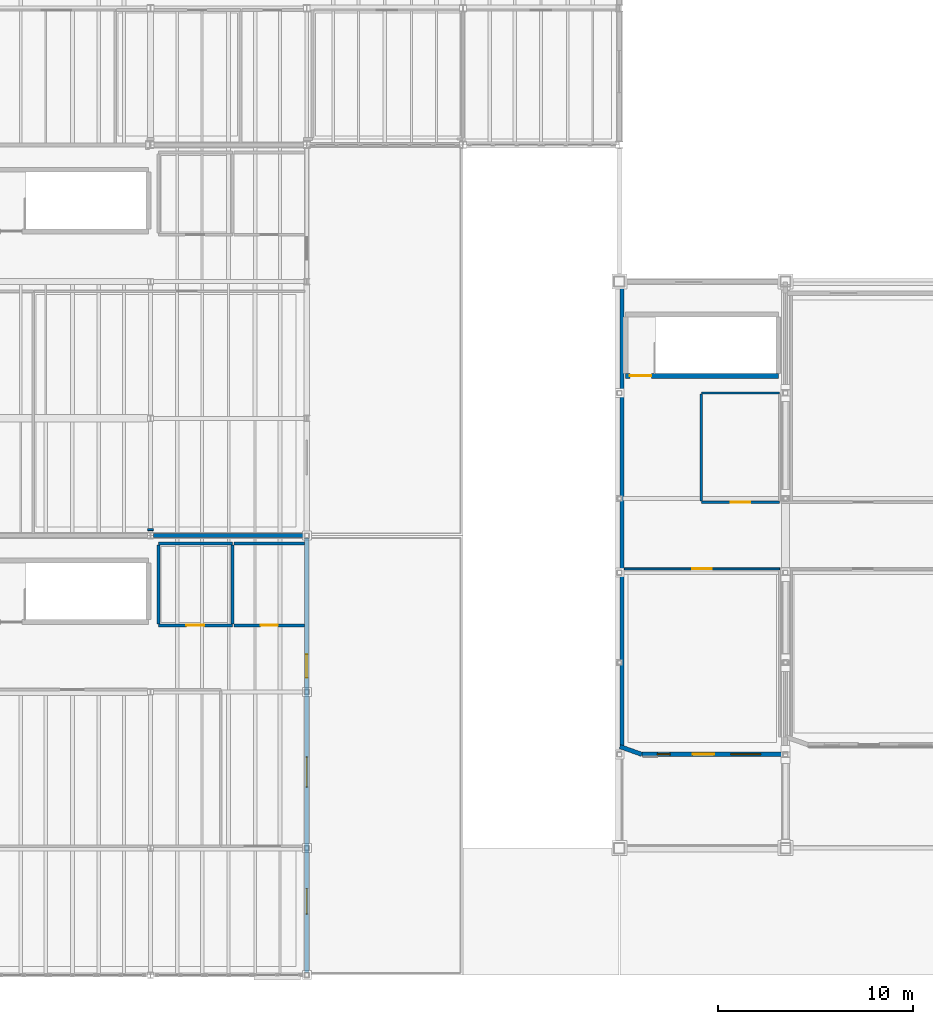
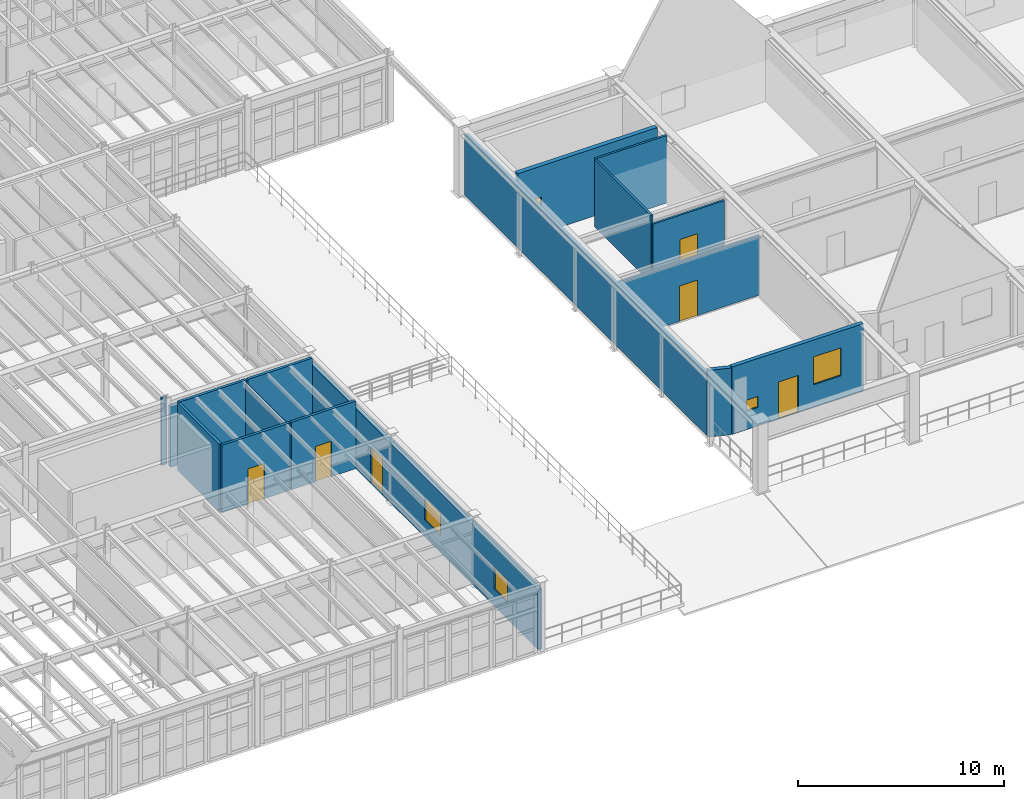
# One storey, part 59 of 78: 17 walls, 7 doors, 4 windows, 11 openings.
"""IFC4 building model written with IfcOpenShell, lengths in metres."""

from ifc_helpers import new_model, si_unit, direction, frame, frame_2d, origin, place, context, subcontext, project, spatial, polyline, rectangle, outline, extrude, material, layer, layer_set, type_object, element, fill, save


model = new_model("IFC4")

# Units and contexts
model_context = context("Model", 3, precision=1e-05, world=origin(), true_north=direction((0.0, 1.0)))
body_context = subcontext(model_context, "Body", "Model", "MODEL_VIEW")
ifc_project = project(units=[si_unit("LENGTHUNIT", "METRE"), si_unit("AREAUNIT", "SQUARE_METRE"), si_unit("VOLUMEUNIT", "CUBIC_METRE"), si_unit("PLANEANGLEUNIT", "RADIAN"), si_unit("MASSUNIT", "GRAM", prefix="KILO"), si_unit("THERMODYNAMICTEMPERATUREUNIT", "KELVIN"), si_unit("POWERUNIT", "WATT")], contexts=[model_context])

# Site, building, storey
site_placement = place(None, origin())
site = spatial("IfcSite", under=ifc_project, at=site_placement, CompositionType="ELEMENT")
building_placement = place(site_placement, origin())
building = spatial("IfcBuilding", under=site, at=building_placement, Name="Zhenchuan Central Fire Station", CompositionType="ELEMENT")
storey_placement = place(building_placement, frame((0.0, 0.0, 5.85009765625)))
storey = spatial("IfcBuildingStorey", under=building, at=storey_placement, Name="L02", CompositionType="ELEMENT", Elevation=5.85009765625)

# Wall, openings, door, windows
ifc_material_1 = material(Name="Precast concrete C40/50", Category="concrete")
ifc_layer_1 = layer(ifc_material_1, 0.219970703125, Name="Precast concrete C40/50", Category="concrete")
ifc_layer_set_1 = layer_set([ifc_layer_1], Name="Precast concrete C40/50")
wall_type_1 = type_object("IfcWallType", Name="EW-PRC220", PredefinedType="SOLIDWALL", material=ifc_layer_set_1)
wall_1_placement = place(storey_placement, frame((57.14990234375, 11.300048828125, 0.0), z_axis=(0.0, 0.0, 1.0), x_axis=(1.0, 0.0, 0.0)))
wall_1 = element("IfcWall", 1, at=wall_1_placement, inside=storey, type_object=wall_type_1, Name="Pavilion H01 South Wall", PredefinedType="SOLIDWALL", context=body_context, shape_type="SweptSolid", body=[
    extrude(rectangle(XDim=7.35009765625, YDim=0.219970703125, at=frame_2d((3.675048828125, 0.0))), origin(), (0.0, 0.0, 1.0), 4.0),
])
opening_1_placement = place(wall_1_placement, frame((2.60009765625, 0.0, 0.0)))
opening_1 = element("IfcOpeningElement", 2, at=opening_1_placement, cuts=wall_1, Name="Opening TD-001", PredefinedType="OPENING", context=body_context, shape_type="SweptSolid", body=[
    extrude(rectangle(XDim=1.10009765625, YDim=2.199951171875, at=frame_2d((0.550048828125, 1.10009765625))), frame((0.0, 0.119873046875, 0.0), z_axis=(0.0, -1.0, 0.0), x_axis=(1.0, 0.0, 0.0)), (0.0, 0.0, 1.0), 0.239990234375),
])
opening_2_placement = place(wall_1_placement, frame((0.800048828125, 0.0, 1.10009765625)))
opening_2 = element("IfcOpeningElement", 3, at=opening_2_placement, cuts=wall_1, Name="Opening W-01", PredefinedType="OPENING", context=body_context, shape_type="SweptSolid", body=[
    extrude(rectangle(XDim=0.64990234375, YDim=0.64990234375, at=frame_2d((0.324951171875, 0.324951171875))), frame((0.0, 0.119873046875, 0.0), z_axis=(0.0, -1.0, 0.0), x_axis=(1.0, 0.0, 0.0)), (0.0, 0.0, 1.0), 0.239990234375),
])
opening_3_placement = place(wall_1_placement, frame((4.550048828125, 0.0, 1.35009765625)))
opening_3 = element("IfcOpeningElement", 4, at=opening_3_placement, cuts=wall_1, Name="Opening W-50", PredefinedType="OPENING", context=body_context, shape_type="SweptSolid", body=[
    extrude(rectangle(XDim=1.550048828125, YDim=1.64990234375, at=frame_2d((0.77490234375, 0.824951171875))), frame((0.0, 0.119873046875, 0.0), z_axis=(0.0, -1.0, 0.0), x_axis=(1.0, 0.0, 0.0)), (0.0, 0.0, 1.0), 0.239990234375),
])
ifc_material_2 = material(Name="Thermally broken aluminium terrace door", Category="aluminium")
door_type_1 = type_object("IfcDoorType", Name="ED-110x220", OperationType="NOTDEFINED", PredefinedType="DOOR", material=ifc_material_2)
door_1_placement = place(opening_1_placement, frame((1.10009765625, 0.0, 0.0), z_axis=(0.0, 0.0, 1.0), x_axis=(-1.0, 0.0, 0.0)))
door_1 = element("IfcDoor", 5, at=door_1_placement, inside=storey, type_object=door_type_1, Name="Pavilion H01 Setback Terrace Door", OperationType="SINGLE_SWING_LEFT", OverallHeight=2.199951171875, OverallWidth=1.10009765625, PredefinedType="DOOR", context=body_context, shape_type="SweptSolid", body=[
    extrude(rectangle(XDim=1.10009765625, YDim=2.199951171875, at=frame_2d((0.550048828125, 1.10009765625))), frame((0.0, 0.02490234375, 0.0), z_axis=(0.0, -1.0, 0.0), x_axis=(1.0, 0.0, 0.0)), (0.0, 0.0, 1.0), 0.050048828125),
])
fill(opening_1, door_1)
ifc_material_3 = material(Name="Laminated low-E double glazing in aluminium frame", Category="aluminium")
window_type_1 = type_object("IfcWindowType", Name="WN-01", PartitioningType="SINGLE_PANEL", PredefinedType="WINDOW", material=ifc_material_3)
window_1_placement = place(opening_2_placement, origin())
window_1 = element("IfcWindow", 6, at=window_1_placement, inside=storey, type_object=window_type_1, Name="Exterior Window 0006", OverallHeight=0.64990234375, OverallWidth=0.64990234375, PartitioningType="SINGLE_PANEL", PredefinedType="WINDOW", context=body_context, shape_type="SweptSolid", body=[
    extrude(rectangle(XDim=0.64990234375, YDim=0.64990234375, at=frame_2d((0.324951171875, 0.324951171875))), frame((0.0, 0.030029296875, 0.0), z_axis=(0.0, -1.0, 0.0), x_axis=(1.0, 0.0, 0.0)), (0.0, 0.0, 1.0), 0.06005859375),
])
fill(opening_2, window_1)
window_type_2 = type_object("IfcWindowType", Name="WN-50", PartitioningType="SINGLE_PANEL", PredefinedType="WINDOW", material=ifc_material_3)
window_2_placement = place(opening_3_placement, origin())
window_2 = element("IfcWindow", 7, at=window_2_placement, inside=storey, type_object=window_type_2, Name="Exterior Window 0007", OverallHeight=1.64990234375, OverallWidth=1.550048828125, PartitioningType="SINGLE_PANEL", PredefinedType="WINDOW", context=body_context, shape_type="SweptSolid", body=[
    extrude(rectangle(XDim=1.550048828125, YDim=1.64990234375, at=frame_2d((0.77490234375, 0.824951171875))), frame((0.0, 0.030029296875, 0.0), z_axis=(0.0, -1.0, 0.0), x_axis=(1.0, 0.0, 0.0)), (0.0, 0.0, 1.0), 0.06005859375),
])
fill(opening_3, window_2)

# Walls
wall_2_placement = place(storey_placement, frame((56.030029296875, 11.699951171875, 0.0), z_axis=(0.0, 0.0, 1.0), x_axis=(0.941755845838, -0.336297378566, 0.0)))
element("IfcWall", 8, at=wall_2_placement, inside=storey, type_object=wall_type_1, Name="Pavilion H01 Chamfer Wall", PredefinedType="SOLIDWALL", context=body_context, shape_type="SweptSolid", body=[
    extrude(outline(polyline([(0.0, 0.0), (1.189208984375, 0.0), (1.189208984375, 3.949951171875), (0.0, 3.949951171875), (0.0, 0.0)])), frame((0.0, 0.10986328125, 0.0), z_axis=(0.0, -1.0, 0.0), x_axis=(1.0, 0.0, 0.0)), (0.0, 0.0, 1.0), 0.219970703125),
])
wall_3_placement = place(storey_placement, frame((56.139892578125, 11.64990234375, 0.0), z_axis=(0.0, 0.0, 1.0), x_axis=(0.0, 1.0, 0.0)))
element("IfcWall", 9, at=wall_3_placement, inside=storey, type_object=wall_type_1, Name="Pavilion H01 West Facade Wall", PredefinedType="SOLIDWALL", context=body_context, shape_type="SweptSolid", body=[
    extrude(rectangle(XDim=23.5751953125, YDim=0.219970703125, at=frame_2d((11.78759765625, 0.0))), origin(), (0.0, 0.0, 1.0), 3.593994140625),
])

# Wall, openings, door, windows
wall_4_placement = place(storey_placement, frame((40.0, 0.125, 0.0), z_axis=(0.0, 0.0, 1.0), x_axis=(0.0, 1.0, 0.0)))
wall_4 = element("IfcWall", 10, at=wall_4_placement, inside=storey, type_object=wall_type_1, Name="EW-L02-V5E", PredefinedType="SOLIDWALL", context=body_context, shape_type="SweptSolid", body=[
    extrude(rectangle(XDim=22.25, YDim=0.219970703125, at=frame_2d((11.125, 0.0))), origin(), (0.0, 0.0, 1.0), 3.553955078125),
])
opening_4_placement = place(wall_4_placement, frame((15.10009765625, 0.0, 0.0)))
opening_4 = element("IfcOpeningElement", 11, at=opening_4_placement, cuts=wall_4, Name="Opening TD-010", PredefinedType="OPENING", context=body_context, shape_type="SweptSolid", body=[
    extrude(rectangle(XDim=1.199951171875, YDim=2.199951171875, at=frame_2d((0.60009765625, 1.10009765625))), frame((0.0, 0.119873046875, 0.0), z_axis=(0.0, -1.0, 0.0), x_axis=(1.0, 0.0, 0.0)), (0.0, 0.0, 1.0), 0.239990234375),
])
opening_5_placement = place(wall_4_placement, frame((3.0, 0.0, 1.0)))
opening_5 = element("IfcOpeningElement", 12, at=opening_5_placement, cuts=wall_4, Name="Opening W-41", PredefinedType="OPENING", context=body_context, shape_type="SweptSolid", body=[
    extrude(rectangle(XDim=1.300048828125, YDim=1.300048828125, at=frame_2d((0.64990234375, 0.64990234375))), frame((0.0, 0.119873046875, 0.0), z_axis=(0.0, -1.0, 0.0), x_axis=(1.0, 0.0, 0.0)), (0.0, 0.0, 1.0), 0.239990234375),
])
opening_6_placement = place(wall_4_placement, frame((9.5, 0.0, 1.0)))
opening_6 = element("IfcOpeningElement", 13, at=opening_6_placement, cuts=wall_4, Name="Opening W-42", PredefinedType="OPENING", context=body_context, shape_type="SweptSolid", body=[
    extrude(rectangle(XDim=1.550048828125, YDim=1.300048828125, at=frame_2d((0.77490234375, 0.64990234375))), frame((0.0, 0.119873046875, 0.0), z_axis=(0.0, -1.0, 0.0), x_axis=(1.0, 0.0, 0.0)), (0.0, 0.0, 1.0), 0.239990234375),
])
ifc_material_4 = material(Name="Powder-coated steel fire exit door", Category="steel")
door_type_2 = type_object("IfcDoorType", Name="ED-120x220", OperationType="NOTDEFINED", PredefinedType="DOOR", material=ifc_material_4)
door_2_placement = place(opening_4_placement, frame((1.199951171875, 0.0, 0.0), z_axis=(0.0, 0.0, 1.0), x_axis=(-1.0, 0.0, 0.0)))
door_2 = element("IfcDoor", 14, at=door_2_placement, inside=storey, type_object=door_type_2, Name="Gallery Viewing Terrace Door", OperationType="SINGLE_SWING_RIGHT", OverallHeight=2.199951171875, OverallWidth=1.199951171875, PredefinedType="DOOR", context=body_context, shape_type="SweptSolid", body=[
    extrude(rectangle(XDim=1.199951171875, YDim=2.199951171875, at=frame_2d((0.60009765625, 1.10009765625))), frame((0.0, 0.02490234375, 0.0), z_axis=(0.0, -1.0, 0.0), x_axis=(1.0, 0.0, 0.0)), (0.0, 0.0, 1.0), 0.050048828125),
])
fill(opening_4, door_2)
window_type_3 = type_object("IfcWindowType", Name="WN-41", PartitioningType="SINGLE_PANEL", PredefinedType="WINDOW", material=ifc_material_3)
window_3_placement = place(opening_5_placement, origin())
window_3 = element("IfcWindow", 15, at=window_3_placement, inside=storey, type_object=window_type_3, Name="Exterior Window 0044", OverallHeight=1.300048828125, OverallWidth=1.300048828125, PartitioningType="SINGLE_PANEL", PredefinedType="WINDOW", context=body_context, shape_type="SweptSolid", body=[
    extrude(rectangle(XDim=1.300048828125, YDim=1.300048828125, at=frame_2d((0.64990234375, 0.64990234375))), frame((0.0, 0.030029296875, 0.0), z_axis=(0.0, -1.0, 0.0), x_axis=(1.0, 0.0, 0.0)), (0.0, 0.0, 1.0), 0.06005859375),
])
fill(opening_5, window_3)
window_type_4 = type_object("IfcWindowType", Name="WN-42", PartitioningType="SINGLE_PANEL", PredefinedType="WINDOW", material=ifc_material_3)
window_4_placement = place(opening_6_placement, origin())
window_4 = element("IfcWindow", 16, at=window_4_placement, inside=storey, type_object=window_type_4, Name="Exterior Window 0045", OverallHeight=1.300048828125, OverallWidth=1.550048828125, PartitioningType="SINGLE_PANEL", PredefinedType="WINDOW", context=body_context, shape_type="SweptSolid", body=[
    extrude(rectangle(XDim=1.550048828125, YDim=1.300048828125, at=frame_2d((0.77490234375, 0.64990234375))), frame((0.0, 0.030029296875, 0.0), z_axis=(0.0, -1.0, 0.0), x_axis=(1.0, 0.0, 0.0)), (0.0, 0.0, 1.0), 0.06005859375),
])
fill(opening_6, window_4)

# Wall, opening, door
ifc_material_5 = material(Name="Autoclaved aerated concrete blockwork", Category="masonry")
ifc_layer_2 = layer(ifc_material_5, 0.14990234375, Name="Autoclaved aerated concrete blockwork", Category="masonry")
ifc_layer_set_2 = layer_set([ifc_layer_2], Name="Autoclaved aerated concrete blockwork")
wall_type_2 = type_object("IfcWallType", Name="IW-BLK150", PredefinedType="PARTITIONING", material=ifc_layer_set_2)
wall_5_placement = place(storey_placement, frame((32.39990234375, 17.89990234375, 0.0), z_axis=(0.0, 0.0, 1.0), x_axis=(1.0, 0.0, 0.0)))
wall_5 = element("IfcWall", 17, at=wall_5_placement, inside=storey, type_object=wall_type_2, Name="Upper Gallery Washroom S Partition", PredefinedType="PARTITIONING", context=body_context, shape_type="SweptSolid", body=[
    extrude(rectangle(XDim=3.800048828125, YDim=0.14990234375, at=frame_2d((1.89990234375, 0.0))), origin(), (0.0, 0.0, 1.0), 4.0),
])
opening_7_placement = place(wall_5_placement, frame((1.43994140625, 0.0, 0.0)))
opening_7 = element("IfcOpeningElement", 18, at=opening_7_placement, cuts=wall_5, Name="Opening D-123", PredefinedType="OPENING", context=body_context, shape_type="SweptSolid", body=[
    extrude(rectangle(XDim=0.919921875, YDim=2.10009765625, at=frame_2d((0.4599609375, 1.050048828125))), frame((0.0, 0.0849609375, 0.0), z_axis=(0.0, -1.0, 0.0), x_axis=(1.0, 0.0, 0.0)), (0.0, 0.0, 1.0), 0.169921875),
])
ifc_material_6 = material(Name="Moisture-resistant accessible WC door")
door_type_3 = type_object("IfcDoorType", Name="ID-WC-092x210", OperationType="NOTDEFINED", PredefinedType="DOOR", material=ifc_material_6)
door_3_placement = place(opening_7_placement, origin())
door_3 = element("IfcDoor", 19, at=door_3_placement, inside=storey, type_object=door_type_3, Name="Upper Gallery Washroom Door", OperationType="SINGLE_SWING_LEFT", OverallHeight=2.10009765625, OverallWidth=0.919921875, PredefinedType="DOOR", context=body_context, shape_type="SweptSolid", body=[
    extrude(rectangle(XDim=0.919921875, YDim=2.10009765625, at=frame_2d((0.4599609375, 1.050048828125))), frame((0.0, 0.02490234375, 0.0), z_axis=(0.0, -1.0, 0.0), x_axis=(1.0, 0.0, 0.0)), (0.0, 0.0, 1.0), 0.050048828125),
])
fill(opening_7, door_3)

# Walls
wall_6_placement = place(storey_placement, frame((32.39990234375, 22.10009765625, 0.0), z_axis=(0.0, 0.0, 1.0), x_axis=(1.0, 0.0, 0.0)))
element("IfcWall", 20, at=wall_6_placement, inside=storey, type_object=wall_type_2, Name="Upper Gallery Washroom N Partition", PredefinedType="PARTITIONING", context=body_context, shape_type="SweptSolid", body=[
    extrude(rectangle(XDim=3.800048828125, YDim=0.14990234375, at=frame_2d((1.89990234375, 0.0))), origin(), (0.0, 0.0, 1.0), 4.0),
])
wall_7_placement = place(storey_placement, frame((32.39990234375, 17.97802734375, 0.0), z_axis=(0.0, 0.0, 1.0), x_axis=(0.0, 1.0, 0.0)))
element("IfcWall", 21, at=wall_7_placement, inside=storey, type_object=wall_type_2, Name="Upper Gallery Washroom W Partition", PredefinedType="PARTITIONING", context=body_context, shape_type="SweptSolid", body=[
    extrude(rectangle(XDim=4.0439453125, YDim=0.14990234375, at=frame_2d((2.02197265625, 0.0))), origin(), (0.0, 0.0, 1.0), 4.0),
])
wall_8_placement = place(storey_placement, frame((36.199951171875, 17.97802734375, 0.0), z_axis=(0.0, 0.0, 1.0), x_axis=(0.0, 1.0, 0.0)))
element("IfcWall", 22, at=wall_8_placement, inside=storey, type_object=wall_type_2, Name="Upper Gallery Washroom E Partition", PredefinedType="PARTITIONING", context=body_context, shape_type="SweptSolid", body=[
    extrude(rectangle(XDim=4.0439453125, YDim=0.14990234375, at=frame_2d((2.02197265625, 0.0))), origin(), (0.0, 0.0, 1.0), 3.743896484375),
])

# Wall, opening, door
wall_9_placement = place(storey_placement, frame((36.278076171875, 17.89990234375, 0.0), z_axis=(0.0, 0.0, 1.0), x_axis=(1.0, 0.0, 0.0)))
wall_9 = element("IfcWall", 23, at=wall_9_placement, inside=storey, type_object=wall_type_2, Name="Upper Gallery Accessible WC S Partition", PredefinedType="PARTITIONING", context=body_context, shape_type="SweptSolid", body=[
    extrude(rectangle(XDim=3.60888671875, YDim=0.14990234375, at=frame_2d((1.804443359375, 0.0))), origin(), (0.0, 0.0, 1.0), 4.0),
])
opening_8_placement = place(wall_9_placement, frame((1.364501953125, 0.0, 0.0)))
opening_8 = element("IfcOpeningElement", 24, at=opening_8_placement, cuts=wall_9, Name="Opening D-124", PredefinedType="OPENING", context=body_context, shape_type="SweptSolid", body=[
    extrude(rectangle(XDim=0.8798828125, YDim=2.10009765625, at=frame_2d((0.43994140625, 1.050048828125))), frame((0.0, 0.0849609375, 0.0), z_axis=(0.0, -1.0, 0.0), x_axis=(1.0, 0.0, 0.0)), (0.0, 0.0, 1.0), 0.169921875),
])
ifc_material_7 = material(Name="Moisture-resistant washroom door")
door_type_4 = type_object("IfcDoorType", Name="ID-WC-088x210", OperationType="NOTDEFINED", PredefinedType="DOOR", material=ifc_material_7)
door_4_placement = place(opening_8_placement, origin())
door_4 = element("IfcDoor", 25, at=door_4_placement, inside=storey, type_object=door_type_4, Name="Upper Gallery Accessible WC Door", OperationType="SINGLE_SWING_RIGHT", OverallHeight=2.10009765625, OverallWidth=0.8798828125, PredefinedType="DOOR", context=body_context, shape_type="SweptSolid", body=[
    extrude(rectangle(XDim=0.8798828125, YDim=2.10009765625, at=frame_2d((0.43994140625, 1.050048828125))), frame((0.0, 0.02490234375, 0.0), z_axis=(0.0, -1.0, 0.0), x_axis=(1.0, 0.0, 0.0)), (0.0, 0.0, 1.0), 0.050048828125),
])
fill(opening_8, door_4)

# Walls
wall_10_placement = place(storey_placement, frame((36.278076171875, 22.10009765625, 0.0), z_axis=(0.0, 0.0, 1.0), x_axis=(1.0, 0.0, 0.0)))
element("IfcWall", 26, at=wall_10_placement, inside=storey, type_object=wall_type_2, Name="Upper Gallery Accessible WC N Partition", PredefinedType="PARTITIONING", context=body_context, shape_type="SweptSolid", body=[
    extrude(rectangle(XDim=3.60888671875, YDim=0.14990234375, at=frame_2d((1.804443359375, 0.0))), origin(), (0.0, 0.0, 1.0), 4.0),
])
ifc_layer_3 = layer(ifc_material_5, 0.199951171875, Name="Autoclaved aerated concrete blockwork", Category="masonry")
ifc_layer_set_3 = layer_set([ifc_layer_3], Name="Autoclaved aerated concrete blockwork")
wall_type_3 = type_object("IfcWallType", Name="IW-FIR200", PredefinedType="PARTITIONING", material=ifc_layer_set_3)
wall_11_placement = place(storey_placement, frame((32.152099609375, 22.5, 0.0), z_axis=(0.0, 0.0, 1.0), x_axis=(1.0, 0.0, 0.0)))
element("IfcWall", 27, at=wall_11_placement, inside=storey, type_object=wall_type_3, Name="L02 Gallery-Workshop Fire Compartment Wall X=32..40", PredefinedType="PARTITIONING", context=body_context, shape_type="SweptSolid", body=[
    extrude(rectangle(XDim=7.720947265625, YDim=0.199951171875, at=frame_2d((3.8603515625, 0.0))), origin(), (0.0, 0.0, 1.0), 3.60400390625),
])

# Wall, opening, door
ifc_material_8 = material(Name="Gypsum plasterboard on steel studs", Category="gypsum")
ifc_layer_4 = layer(ifc_material_8, 0.10009765625, Name="Gypsum plasterboard on steel studs", Category="gypsum")
ifc_layer_set_4 = layer_set([ifc_layer_4], Name="Gypsum plasterboard on steel studs")
wall_type_4 = type_object("IfcWallType", Name="IW-GYP100", PredefinedType="PARTITIONING", material=ifc_layer_set_4)
wall_12_placement = place(storey_placement, frame((56.2529296875, 20.800048828125, 0.0), z_axis=(0.0, 0.0, 1.0), x_axis=(1.0, 0.0, 0.0)))
wall_12 = element("IfcWall", 28, at=wall_12_placement, inside=storey, type_object=wall_type_4, Name="Turnout Readiness Briefing Room N Partition", PredefinedType="PARTITIONING", context=body_context, shape_type="SweptSolid", body=[
    extrude(rectangle(XDim=7.947021484375, YDim=0.10009765625, at=frame_2d((3.9736328125, 0.0))), origin(), (0.0, 0.0, 1.0), 3.5439453125),
])
opening_9_placement = place(wall_12_placement, frame((3.473388671875, 0.0, 0.0)))
opening_9 = element("IfcOpeningElement", 29, at=opening_9_placement, cuts=wall_12, Name="Opening D-100", PredefinedType="OPENING", context=body_context, shape_type="SweptSolid", body=[
    extrude(rectangle(XDim=1.0, YDim=2.10009765625, at=frame_2d((0.5, 1.050048828125))), frame((0.0, 0.06005859375, 0.0), z_axis=(0.0, -1.0, 0.0), x_axis=(1.0, 0.0, 0.0)), (0.0, 0.0, 1.0), 0.1201171875),
])
ifc_material_9 = material(Name="Solid-core timber office door", Category="wood")
door_type_5 = type_object("IfcDoorType", Name="ID-OFF-100x210", OperationType="NOTDEFINED", PredefinedType="DOOR", material=ifc_material_9)
door_5_placement = place(opening_9_placement, origin())
door_5 = element("IfcDoor", 30, at=door_5_placement, inside=storey, type_object=door_type_5, Name="Turnout Readiness Briefing Room Door", OperationType="SINGLE_SWING_RIGHT", OverallHeight=2.10009765625, OverallWidth=1.0, PredefinedType="DOOR", context=body_context, shape_type="SweptSolid", body=[
    extrude(rectangle(XDim=1.0, YDim=2.10009765625, at=frame_2d((0.5, 1.050048828125))), frame((0.0, 0.02490234375, 0.0), z_axis=(0.0, -1.0, 0.0), x_axis=(1.0, 0.0, 0.0)), (0.0, 0.0, 1.0), 0.050048828125),
])
fill(opening_9, door_5)

# Wall
wall_13_placement = place(storey_placement, frame((31.85107421875, 22.800048828125, 0.0), z_axis=(0.0, 0.0, 1.0), x_axis=(1.0, 0.0, 0.0)))
element("IfcWall", 31, at=wall_13_placement, inside=storey, type_object=wall_type_4, Name="Flashover Observation Simulator S Partition", PredefinedType="PARTITIONING", context=body_context, shape_type="SweptSolid", body=[
    extrude(rectangle(XDim=0.2978515625, YDim=0.10009765625, at=frame_2d((0.14892578125, 0.0))), origin(), (0.0, 0.0, 1.0), 4.0),
])

# Wall, opening, door
ifc_layer_5 = layer(ifc_material_8, 0.1201171875, Name="Gypsum plasterboard on steel studs", Category="gypsum")
ifc_layer_set_5 = layer_set([ifc_layer_5], Name="Gypsum plasterboard on steel studs")
wall_type_5 = type_object("IfcWallType", Name="IW-GYP120", PredefinedType="PARTITIONING", material=ifc_layer_set_5)
wall_14_placement = place(storey_placement, frame((60.199951171875, 24.199951171875, 0.0), z_axis=(0.0, 0.0, 1.0), x_axis=(1.0, 0.0, 0.0)))
wall_14 = element("IfcWall", 32, at=wall_14_placement, inside=storey, type_object=wall_type_5, Name="Tactical Equipment Study Room S Partition", PredefinedType="PARTITIONING", context=body_context, shape_type="SweptSolid", body=[
    extrude(rectangle(XDim=4.0, YDim=0.1201171875, at=frame_2d((2.0, 0.0))), origin(), (0.0, 0.0, 1.0), 3.5439453125),
])
opening_10_placement = place(wall_14_placement, frame((1.510009765625, 0.0, 0.0)))
opening_10 = element("IfcOpeningElement", 33, at=opening_10_placement, cuts=wall_14, Name="Opening D-101", PredefinedType="OPENING", context=body_context, shape_type="SweptSolid", body=[
    extrude(rectangle(XDim=0.97998046875, YDim=2.10009765625, at=frame_2d((0.489990234375, 1.050048828125))), frame((0.0, 0.070068359375, 0.0), z_axis=(0.0, -1.0, 0.0), x_axis=(1.0, 0.0, 0.0)), (0.0, 0.0, 1.0), 0.14013671875),
])
ifc_material_10 = material(Name="Solid-core timber study door", Category="wood")
door_type_6 = type_object("IfcDoorType", Name="ID-OFF-098x210", OperationType="NOTDEFINED", PredefinedType="DOOR", material=ifc_material_10)
door_6_placement = place(opening_10_placement, origin())
door_6 = element("IfcDoor", 34, at=door_6_placement, inside=storey, type_object=door_type_6, Name="Tactical Equipment Study Room Door", OperationType="SINGLE_SWING_LEFT", OverallHeight=2.10009765625, OverallWidth=0.97998046875, PredefinedType="DOOR", context=body_context, shape_type="SweptSolid", body=[
    extrude(rectangle(XDim=0.97998046875, YDim=2.10009765625, at=frame_2d((0.489990234375, 1.050048828125))), frame((0.0, 0.02490234375, 0.0), z_axis=(0.0, -1.0, 0.0), x_axis=(1.0, 0.0, 0.0)), (0.0, 0.0, 1.0), 0.050048828125),
])
fill(opening_10, door_6)

# Walls
wall_15_placement = place(storey_placement, frame((60.199951171875, 29.800048828125, 0.0), z_axis=(0.0, 0.0, 1.0), x_axis=(1.0, 0.0, 0.0)))
element("IfcWall", 35, at=wall_15_placement, inside=storey, type_object=wall_type_5, Name="Tactical Equipment Study Room N Partition", PredefinedType="PARTITIONING", context=body_context, shape_type="SweptSolid", body=[
    extrude(rectangle(XDim=4.0, YDim=0.1201171875, at=frame_2d((2.0, 0.0))), origin(), (0.0, 0.0, 1.0), 4.0),
])
wall_16_placement = place(storey_placement, frame((60.199951171875, 24.262939453125, 0.0), z_axis=(0.0, 0.0, 1.0), x_axis=(0.0, 1.0, 0.0)))
element("IfcWall", 36, at=wall_16_placement, inside=storey, type_object=wall_type_5, Name="Tactical Equipment Study Room W Partition", PredefinedType="PARTITIONING", context=body_context, shape_type="SweptSolid", body=[
    extrude(rectangle(XDim=5.47412109375, YDim=0.1201171875, at=frame_2d((2.737060546875, 0.0))), origin(), (0.0, 0.0, 1.0), 4.0),
])

# Wall, opening, door
ifc_material_11 = material(Name="Concrete C40/50", Category="concrete")
ifc_layer_6 = layer(ifc_material_11, 0.25, Name="Concrete C40/50", Category="concrete")
ifc_layer_set_6 = layer_set([ifc_layer_6], Name="Concrete C40/50")
wall_type_6 = type_object("IfcWallType", Name="IW-SHR250", PredefinedType="SHEAR", material=ifc_layer_set_6)
wall_17_placement = place(storey_placement, frame((56.324951171875, 30.675048828125, 0.0), z_axis=(0.0, 0.0, 1.0), x_axis=(1.0, 0.0, 0.0)))
wall_17 = element("IfcWall", 37, at=wall_17_placement, inside=storey, type_object=wall_type_6, Name="ST-08 L02 South Core Wall", PredefinedType="SHEAR", context=body_context, shape_type="SweptSolid", body=[
    extrude(rectangle(XDim=7.81005859375, YDim=0.25, at=frame_2d((3.905029296875, 0.0))), origin(), (0.0, 0.0, 1.0), 4.0),
])
opening_11_placement = place(wall_17_placement, frame((0.219970703125, 0.0, 0.0)))
opening_11 = element("IfcOpeningElement", 38, at=opening_11_placement, cuts=wall_17, Name="Opening D-019", PredefinedType="OPENING", context=body_context, shape_type="SweptSolid", body=[
    extrude(rectangle(XDim=1.10009765625, YDim=2.14990234375, at=frame_2d((0.550048828125, 1.074951171875))), frame((0.0, 0.135009765625, 0.0), z_axis=(0.0, -1.0, 0.0), x_axis=(1.0, 0.0, 0.0)), (0.0, 0.0, 1.0), 0.27001953125),
])
ifc_material_12 = material(Name="Painted steel acoustic fire door", Category="steel")
door_type_7 = type_object("IfcDoorType", Name="ID-ST-110x215", OperationType="NOTDEFINED", PredefinedType="DOOR", material=ifc_material_12)
door_7_placement = place(opening_11_placement, frame((1.10009765625, 0.0, 0.0), z_axis=(0.0, 0.0, 1.0), x_axis=(-1.0, 0.0, 0.0)))
door_7 = element("IfcDoor", 39, at=door_7_placement, inside=storey, type_object=door_type_7, Name="ST-08 L02 Fire Door", OperationType="SINGLE_SWING_LEFT", OverallHeight=2.14990234375, OverallWidth=1.10009765625, PredefinedType="DOOR", context=body_context, shape_type="SweptSolid", body=[
    extrude(rectangle(XDim=1.10009765625, YDim=2.14990234375, at=frame_2d((0.550048828125, 1.074951171875))), frame((0.0, 0.02490234375, 0.0), z_axis=(0.0, -1.0, 0.0), x_axis=(1.0, 0.0, 0.0)), (0.0, 0.0, 1.0), 0.050048828125),
])
fill(opening_11, door_7)

save(model, "model.ifc")
